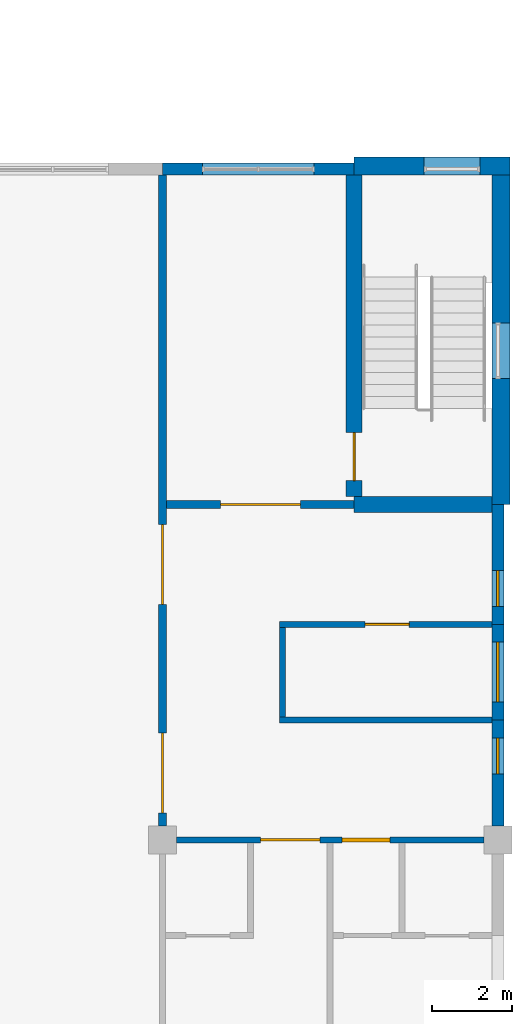
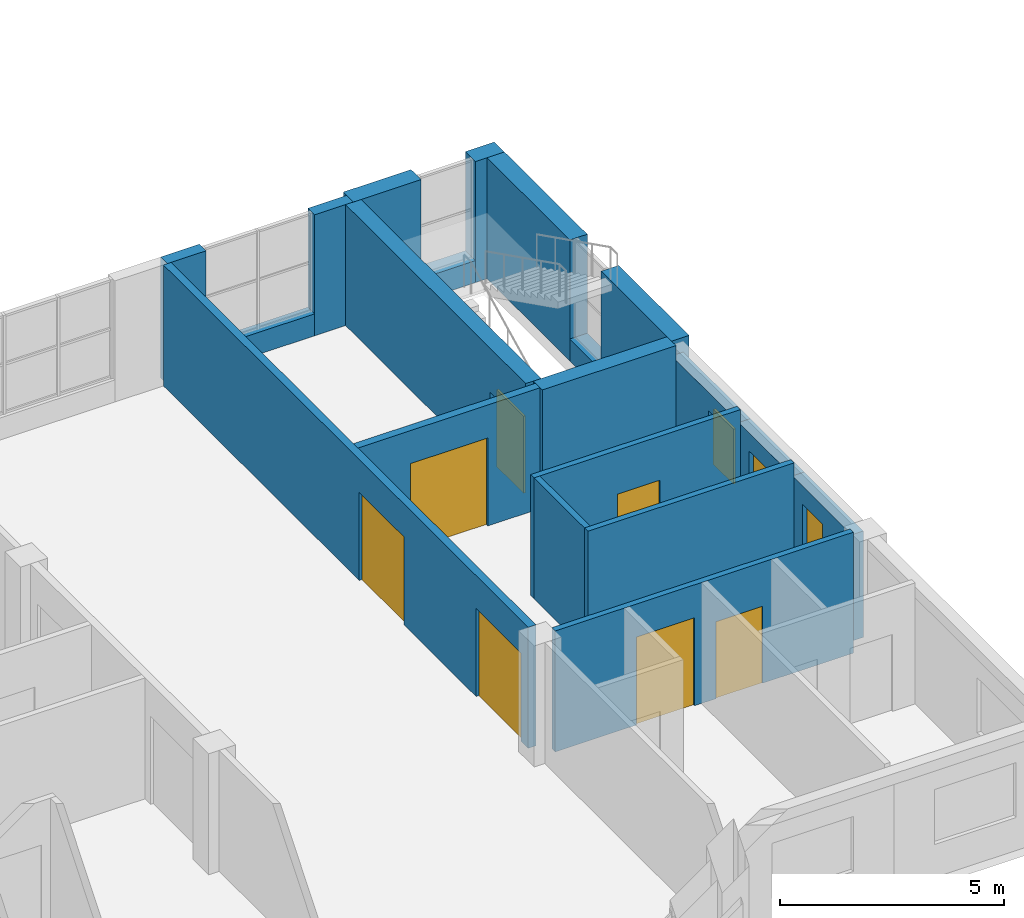
# One storey, part 40 of 48: 20 walls, 7 doors, 3 windows, 10 openings.
"""IFC4 building model written with IfcOpenShell, lengths in metres."""

from ifc_helpers import new_model, si_unit, direction, frame, frame_2d, origin, place, context, subcontext, project, spatial, rectangle, extrude, material, layer, layer_set, type_object, element, fill, save


model = new_model("IFC4")

# Units and contexts
model_context = context("Model", 3, precision=1e-05, world=origin(), true_north=direction((0.0, 1.0)))
body_context = subcontext(model_context, "Body", "Model", "MODEL_VIEW")
ifc_project = project(units=[si_unit("LENGTHUNIT", "METRE"), si_unit("AREAUNIT", "SQUARE_METRE"), si_unit("VOLUMEUNIT", "CUBIC_METRE"), si_unit("PLANEANGLEUNIT", "RADIAN"), si_unit("MASSUNIT", "GRAM", prefix="KILO")], contexts=[model_context])

# Site, building, storey
site_placement = place(None, origin())
site = spatial("IfcSite", under=ifc_project, at=site_placement, CompositionType="ELEMENT")
building_placement = place(site_placement, origin())
building = spatial("IfcBuilding", under=site, at=building_placement, Name="Yavir Park General Hospital", CompositionType="ELEMENT")
storey_placement = place(building_placement, frame((0.0, 0.0, 26.10009765625)))
storey = spatial("IfcBuildingStorey", under=building, at=storey_placement, Name="L06", CompositionType="ELEMENT", Elevation=26.10009765625)

# Wall, opening, door
ifc_material_1 = material(Name="Double gypsum board fire partition on steel studs", Category="steel")
ifc_layer_1 = layer(ifc_material_1, 0.199951171875)
ifc_layer_set_1 = layer_set([ifc_layer_1], Name="Double gypsum board fire partition on steel studs")
wall_type_1 = type_object("IfcWallType", Name="Fire-rated partition 200, EI 60", PredefinedType="PARTITIONING", material=ifc_layer_set_1)
wall_1_placement = place(storey_placement, frame((159.699951171875, 16.800048828125, 0.0), z_axis=(0.0, 0.0, 1.0), x_axis=(1.0, 0.0, 0.0)))
wall_1 = element("IfcWall", 1, at=wall_1_placement, inside=storey, type_object=wall_type_1, Name="FP20 L06-046", PredefinedType="PARTITIONING", context=body_context, shape_type="SweptSolid", body=[
    extrude(rectangle(XDim=4.699951171875, YDim=0.199951171875, at=frame_2d((2.35009765625, 0.0))), origin(), (0.0, 0.0, 1.0), 3.2998046875),
])
opening_1_placement = place(wall_1_placement, frame((1.35009765625, 0.0, 0.0)))
opening_1 = element("IfcOpeningElement", 2, at=opening_1_placement, cuts=wall_1, Name="Opening L06.D051", PredefinedType="OPENING", context=body_context, shape_type="SweptSolid", body=[
    extrude(rectangle(XDim=2.0, YDim=2.39990234375, at=frame_2d((1.0, 1.199951171875))), frame((0.0, 0.10986328125, 0.0), z_axis=(0.0, -1.0, 0.0), x_axis=(1.0, 0.0, 0.0)), (0.0, 0.0, 1.0), 0.219970703125),
])
ifc_material_2 = material(Name="Steel frame, fire-resisting leaves with vision panels", Category="steel")
door_type_1 = type_object("IfcDoorType", Name="Double fire door with vision panels 2000 x 2400, EI 60", OperationType="DOUBLE_DOOR_SINGLE_SWING", PredefinedType="DOOR", material=ifc_material_2)
door_1_placement = place(opening_1_placement, origin())
door_1 = element("IfcDoor", 3, at=door_1_placement, inside=storey, type_object=door_type_1, Name="L06.D051", OperationType="SINGLE_SWING_LEFT", OverallHeight=2.39990234375, OverallWidth=2.0, PredefinedType="DOOR", context=body_context, shape_type="SweptSolid", body=[
    extrude(rectangle(XDim=2.0, YDim=2.39990234375, at=frame_2d((1.0, 1.199951171875))), frame((0.0, 0.030029296875, 0.0), z_axis=(0.0, -1.0, 0.0), x_axis=(1.0, 0.0, 0.0)), (0.0, 0.0, 1.0), 0.06005859375),
])
fill(opening_1, door_1)

# Wall, openings, doors
wall_2_placement = place(storey_placement, frame((159.60009765625, 8.75, 0.0), z_axis=(0.0, 0.0, 1.0), x_axis=(0.0, 1.0, 0.0)))
wall_2 = element("IfcWall", 4, at=wall_2_placement, inside=storey, type_object=wall_type_1, Name="FP20 L06-254", PredefinedType="PARTITIONING", context=body_context, shape_type="SweptSolid", body=[
    extrude(rectangle(XDim=16.300048828125, YDim=0.199951171875, at=frame_2d((8.14990234375, 0.0))), origin(), (0.0, 0.0, 1.0), 3.2998046875),
])
opening_2_placement = place(wall_2_placement, frame((0.324951171875, 0.0, 0.0)))
opening_2 = element("IfcOpeningElement", 5, at=opening_2_placement, cuts=wall_2, Name="Opening L06.D147", PredefinedType="OPENING", context=body_context, shape_type="SweptSolid", body=[
    extrude(rectangle(XDim=2.0, YDim=2.39990234375, at=frame_2d((1.0, 1.199951171875))), frame((0.0, 0.10986328125, 0.0), z_axis=(0.0, -1.0, 0.0), x_axis=(1.0, 0.0, 0.0)), (0.0, 0.0, 1.0), 0.219970703125),
])
opening_3_placement = place(wall_2_placement, frame((5.550048828125, 0.0, 0.0)))
opening_3 = element("IfcOpeningElement", 6, at=opening_3_placement, cuts=wall_2, Name="Opening L06.D148", PredefinedType="OPENING", context=body_context, shape_type="SweptSolid", body=[
    extrude(rectangle(XDim=2.0, YDim=2.39990234375, at=frame_2d((1.0, 1.199951171875))), frame((0.0, 0.10986328125, 0.0), z_axis=(0.0, -1.0, 0.0), x_axis=(1.0, 0.0, 0.0)), (0.0, 0.0, 1.0), 0.219970703125),
])
door_2_placement = place(opening_2_placement, origin())
door_2 = element("IfcDoor", 7, at=door_2_placement, inside=storey, type_object=door_type_1, Name="L06.D147", OperationType="SINGLE_SWING_RIGHT", OverallHeight=2.39990234375, OverallWidth=2.0, PredefinedType="DOOR", context=body_context, shape_type="SweptSolid", body=[
    extrude(rectangle(XDim=2.0, YDim=2.39990234375, at=frame_2d((1.0, 1.199951171875))), frame((0.0, 0.030029296875, 0.0), z_axis=(0.0, -1.0, 0.0), x_axis=(1.0, 0.0, 0.0)), (0.0, 0.0, 1.0), 0.06005859375),
])
fill(opening_2, door_2)
door_3_placement = place(opening_3_placement, origin())
door_3 = element("IfcDoor", 8, at=door_3_placement, inside=storey, type_object=door_type_1, Name="L06.D148", OperationType="SINGLE_SWING_RIGHT", OverallHeight=2.39990234375, OverallWidth=2.0, PredefinedType="DOOR", context=body_context, shape_type="SweptSolid", body=[
    extrude(rectangle(XDim=2.0, YDim=2.39990234375, at=frame_2d((1.0, 1.199951171875))), frame((0.0, 0.030029296875, 0.0), z_axis=(0.0, -1.0, 0.0), x_axis=(1.0, 0.0, 0.0)), (0.0, 0.0, 1.0), 0.06005859375),
])
fill(opening_3, door_3)

ifc_material_3 = material(Name="Gypsum board partition on steel studs", Category="steel")
ifc_layer_2 = layer(ifc_material_3, 0.14990234375)
ifc_layer_set_2 = layer_set([ifc_layer_2], Name="Gypsum board partition on steel studs")
wall_type_2 = type_object("IfcWallType", Name="Gypsum board partition 150", PredefinedType="PARTITIONING", material=ifc_layer_set_2)
wall_3_placement = place(storey_placement, frame((159.949951171875, 8.39990234375, 0.0), z_axis=(0.0, 0.0, 1.0), x_axis=(1.0, 0.0, 0.0)))
wall_3 = element("IfcWall", 9, at=wall_3_placement, inside=storey, type_object=wall_type_2, Name="P15 L06-023", PredefinedType="PARTITIONING", context=body_context, shape_type="SweptSolid", body=[
    extrude(rectangle(XDim=7.699951171875, YDim=0.14990234375, at=frame_2d((3.85009765625, 0.0))), origin(), (0.0, 0.0, 1.0), 3.2998046875),
])
opening_4_placement = place(wall_3_placement, frame((2.10009765625, 0.0, 0.0)))
opening_4 = element("IfcOpeningElement", 10, at=opening_4_placement, cuts=wall_3, Name="Opening L06.D031", PredefinedType="OPENING", context=body_context, shape_type="SweptSolid", body=[
    extrude(rectangle(XDim=1.5, YDim=2.39990234375, at=frame_2d((0.75, 1.199951171875))), frame((0.0, 0.0849609375, 0.0), z_axis=(0.0, -1.0, 0.0), x_axis=(1.0, 0.0, 0.0)), (0.0, 0.0, 1.0), 0.169921875),
])
opening_5_placement = place(wall_3_placement, frame((4.14990234375, 0.0, 0.0)))
opening_5 = element("IfcOpeningElement", 11, at=opening_5_placement, cuts=wall_3, Name="Opening L06.D032", PredefinedType="OPENING", context=body_context, shape_type="SweptSolid", body=[
    extrude(rectangle(XDim=1.199951171875, YDim=2.10009765625, at=frame_2d((0.60009765625, 1.050048828125))), frame((0.0, 0.0849609375, 0.0), z_axis=(0.0, -1.0, 0.0), x_axis=(1.0, 0.0, 0.0)), (0.0, 0.0, 1.0), 0.169921875),
])
ifc_material_4 = material(Name="Solid-core timber leaves, push plates, kick plates", Category="wood")
door_type_2 = type_object("IfcDoorType", Name="Bed door, unequal leaves 1500 x 2400", OperationType="DOUBLE_DOOR_SINGLE_SWING", PredefinedType="DOOR", material=ifc_material_4)
door_4_placement = place(opening_4_placement, origin())
door_4 = element("IfcDoor", 12, at=door_4_placement, inside=storey, type_object=door_type_2, Name="L06.D031", OperationType="SINGLE_SWING_LEFT", OverallHeight=2.39990234375, OverallWidth=1.5, PredefinedType="DOOR", context=body_context, shape_type="SweptSolid", body=[
    extrude(rectangle(XDim=1.5, YDim=2.39990234375, at=frame_2d((0.75, 1.199951171875))), frame((0.0, 0.030029296875, 0.0), z_axis=(0.0, -1.0, 0.0), x_axis=(1.0, 0.0, 0.0)), (0.0, 0.0, 1.0), 0.06005859375),
])
fill(opening_4, door_4)
ifc_material_5 = material(Name="Sealed steel door leaf, compression seals", Category="steel")
door_type_3 = type_object("IfcDoorType", Name="Isolation airlock door 1200 x 2100", OperationType="SINGLE_SWING_LEFT", PredefinedType="DOOR", material=ifc_material_5)
door_5_placement = place(opening_5_placement, origin())
door_5 = element("IfcDoor", 13, at=door_5_placement, inside=storey, type_object=door_type_3, Name="L06.D032", OperationType="SINGLE_SWING_LEFT", OverallHeight=2.10009765625, OverallWidth=1.199951171875, PredefinedType="DOOR", context=body_context, shape_type="SweptSolid", body=[
    extrude(rectangle(XDim=1.199951171875, YDim=2.10009765625, at=frame_2d((0.60009765625, 1.050048828125))), frame((0.0, 0.050048828125, 0.0), z_axis=(0.0, -1.0, 0.0), x_axis=(1.0, 0.0, 0.0)), (0.0, 0.0, 1.0), 0.10009765625),
])
fill(opening_5, door_5)

# Wall
wall_4_placement = place(storey_placement, frame((162.52490234375, 11.39990234375, 0.0), z_axis=(0.0, 0.0, 1.0), x_axis=(1.0, 0.0, 0.0)))
element("IfcWall", 14, at=wall_4_placement, inside=storey, type_object=wall_type_2, Name="P15 L06-029", PredefinedType="PARTITIONING", context=body_context, shape_type="SweptSolid", body=[
    extrude(rectangle(XDim=5.3251953125, YDim=0.14990234375, at=frame_2d((2.66259765625, 0.0))), origin(), (0.0, 0.0, 1.0), 3.2998046875),
])

# Wall, opening, door
wall_5_placement = place(storey_placement, frame((162.52490234375, 13.800048828125, 0.0), z_axis=(0.0, 0.0, 1.0), x_axis=(1.0, 0.0, 0.0)))
wall_5 = element("IfcWall", 15, at=wall_5_placement, inside=storey, type_object=wall_type_2, Name="P15 L06-036", PredefinedType="PARTITIONING", context=body_context, shape_type="SweptSolid", body=[
    extrude(rectangle(XDim=5.3251953125, YDim=0.14990234375, at=frame_2d((2.66259765625, 0.0))), origin(), (0.0, 0.0, 1.0), 3.2998046875),
])
opening_6_placement = place(wall_5_placement, frame((2.14990234375, 0.0, 0.0)))
opening_6 = element("IfcOpeningElement", 16, at=opening_6_placement, cuts=wall_5, Name="Opening L06.D041", PredefinedType="OPENING", context=body_context, shape_type="SweptSolid", body=[
    extrude(rectangle(XDim=1.10009765625, YDim=2.10009765625, at=frame_2d((0.550048828125, 1.050048828125))), frame((0.0, 0.0849609375, 0.0), z_axis=(0.0, -1.0, 0.0), x_axis=(1.0, 0.0, 0.0)), (0.0, 0.0, 1.0), 0.169921875),
])
ifc_material_6 = material(Name="Hollow metal frame, solid-core timber leaf", Category="wood")
door_type_4 = type_object("IfcDoorType", Name="Single swing door 1100 x 2100", OperationType="SINGLE_SWING_LEFT", PredefinedType="DOOR", material=ifc_material_6)
door_6_placement = place(opening_6_placement, origin())
door_6 = element("IfcDoor", 17, at=door_6_placement, inside=storey, type_object=door_type_4, Name="L06.D041", OperationType="SINGLE_SWING_LEFT", OverallHeight=2.10009765625, OverallWidth=1.10009765625, PredefinedType="DOOR", context=body_context, shape_type="SweptSolid", body=[
    extrude(rectangle(XDim=1.10009765625, YDim=2.10009765625, at=frame_2d((0.550048828125, 1.050048828125))), frame((0.0, 0.02490234375, 0.0), z_axis=(0.0, -1.0, 0.0), x_axis=(1.0, 0.0, 0.0)), (0.0, 0.0, 1.0), 0.050048828125),
])
fill(opening_6, door_6)

# Walls
wall_6_placement = place(storey_placement, frame((162.60009765625, 11.47509765625, 0.0), z_axis=(0.0, 0.0, 1.0), x_axis=(0.0, 1.0, 0.0)))
element("IfcWall", 18, at=wall_6_placement, inside=storey, type_object=wall_type_2, Name="P15 L06-256", PredefinedType="PARTITIONING", context=body_context, shape_type="SweptSolid", body=[
    extrude(rectangle(XDim=2.25, YDim=0.14990234375, at=frame_2d((1.125, 0.0))), origin(), (0.0, 0.0, 1.0), 3.2998046875),
])
ifc_material_7 = material(Name="Autoclaved aerated block, mineral wool and ochre mineral render")
ifc_layer_3 = layer(ifc_material_7, 0.300048828125)
ifc_layer_set_3 = layer_set([ifc_layer_3], Name="Autoclaved aerated block, mineral wool and ochre mineral render")
wall_type_3 = type_object("IfcWallType", Name="Ochre render ward wall 300, E 30", PredefinedType="SOLIDWALL", material=ifc_layer_set_3)
for number, where, z_axis, x_axis, name in (
    (19, (159.60009765625, 25.199951171875, 0.0), (0.0, 0.0, 1.0), (1.0, 0.0, 0.0), "XW7 L06-053"),
    (20, (163.39990234375, 25.199951171875, 0.0), (0.0, 0.0, 1.0), (1.0, 0.0, 0.0), "XW7 L06-054"),
):
    element("IfcWall", number, at=place(storey_placement, frame(where, z_axis=z_axis, x_axis=x_axis)), inside=storey, type_object=wall_type_3, Name=name, PredefinedType="SOLIDWALL", context=body_context, shape_type="SweptSolid", body=[
        extrude(rectangle(XDim=1.0, YDim=0.300048828125, at=frame_2d((0.5, 0.0))), origin(), (0.0, 0.0, 1.0), 3.2998046875),
    ])
wall_7_placement = place(storey_placement, frame((160.60009765625, 25.199951171875, 0.0), z_axis=(0.0, 0.0, 1.0), x_axis=(1.0, 0.0, 0.0)))
element("IfcWall", 21, at=wall_7_placement, inside=storey, type_object=wall_type_3, Name="XW7 L06-055", PredefinedType="SOLIDWALL", context=body_context, shape_type="SweptSolid", body=[
    extrude(rectangle(XDim=2.7998046875, YDim=0.300048828125, at=frame_2d((1.39990234375, 0.0))), origin(), (0.0, 0.0, 1.0), 0.599853515625),
])

# Wall, opening, window
wall_8_placement = place(storey_placement, frame((168.0, 8.75, 0.0), z_axis=(0.0, 0.0, 1.0), x_axis=(0.0, 1.0, 0.0)))
wall_8 = element("IfcWall", 22, at=wall_8_placement, inside=storey, type_object=wall_type_3, Name="XW7 L06-146", PredefinedType="SOLIDWALL", context=body_context, shape_type="SweptSolid", body=[
    extrude(rectangle(XDim=2.64990234375, YDim=0.300048828125, at=frame_2d((1.324951171875, 0.0))), origin(), (0.0, 0.0, 1.0), 2.89990234375),
])
opening_7_placement = place(wall_8_placement, frame((1.300048828125, 0.0, 0.89990234375)))
opening_7 = element("IfcOpeningElement", 23, at=opening_7_placement, cuts=wall_8, Name="Opening WH", PredefinedType="OPENING", context=body_context, shape_type="SweptSolid", body=[
    extrude(rectangle(XDim=0.89990234375, YDim=1.5, at=frame_2d((0.449951171875, 0.75))), frame((0.0, 0.159912109375, 0.0), z_axis=(0.0, -1.0, 0.0), x_axis=(1.0, 0.0, 0.0)), (0.0, 0.0, 1.0), 0.320068359375),
])
ifc_material_8 = material(Name="Aluminium frame, double glazed unit", Category="aluminium")
window_type_1 = type_object("IfcWindowType", Name="Narrow window 900 x 1500", PartitioningType="SINGLE_PANEL", PredefinedType="WINDOW", material=ifc_material_8)
window_1_placement = place(opening_7_placement, origin())
window_1 = element("IfcWindow", 24, at=window_1_placement, inside=storey, type_object=window_type_1, Name="WH L06-064", OverallHeight=1.5, OverallWidth=0.89990234375, PartitioningType="SINGLE_PANEL", PredefinedType="WINDOW", context=body_context, shape_type="SweptSolid", body=[
    extrude(rectangle(XDim=0.89990234375, YDim=1.5, at=frame_2d((0.449951171875, 0.75))), frame((0.0, 0.030029296875, 0.0), z_axis=(0.0, -1.0, 0.0), x_axis=(1.0, 0.0, 0.0)), (0.0, 0.0, 1.0), 0.06005859375),
])
fill(opening_7, window_1)

wall_9_placement = place(storey_placement, frame((168.0, 11.39990234375, 0.0), z_axis=(0.0, 0.0, 1.0), x_axis=(0.0, 1.0, 0.0)))
wall_9 = element("IfcWall", 25, at=wall_9_placement, inside=storey, type_object=wall_type_3, Name="XW7 L06-147", PredefinedType="SOLIDWALL", context=body_context, shape_type="SweptSolid", body=[
    extrude(rectangle(XDim=2.400146484375, YDim=0.300048828125, at=frame_2d((1.2001953125, 0.0))), origin(), (0.0, 0.0, 1.0), 2.89990234375),
])
opening_8_placement = place(wall_9_placement, frame((0.449951171875, 0.0, 0.89990234375)))
opening_8 = element("IfcOpeningElement", 26, at=opening_8_placement, cuts=wall_9, Name="Opening WC", PredefinedType="OPENING", context=body_context, shape_type="SweptSolid", body=[
    extrude(rectangle(XDim=1.5, YDim=1.5, at=frame_2d((0.75, 0.75))), frame((0.0, 0.159912109375, 0.0), z_axis=(0.0, -1.0, 0.0), x_axis=(1.0, 0.0, 0.0)), (0.0, 0.0, 1.0), 0.320068359375),
])
ifc_material_9 = material(Name="Aluminium frame, double glazed unit", Category="aluminium")
window_type_2 = type_object("IfcWindowType", Name="Consulting room window 1500 x 1500", PartitioningType="SINGLE_PANEL", PredefinedType="WINDOW", material=ifc_material_9)
window_2_placement = place(opening_8_placement, origin())
window_2 = element("IfcWindow", 27, at=window_2_placement, inside=storey, type_object=window_type_2, Name="WC L06-065", OverallHeight=1.5, OverallWidth=1.5, PartitioningType="SINGLE_PANEL", PredefinedType="WINDOW", context=body_context, shape_type="SweptSolid", body=[
    extrude(rectangle(XDim=1.5, YDim=1.5, at=frame_2d((0.75, 0.75))), frame((0.0, 0.030029296875, 0.0), z_axis=(0.0, -1.0, 0.0), x_axis=(1.0, 0.0, 0.0)), (0.0, 0.0, 1.0), 0.06005859375),
])
fill(opening_8, window_2)

wall_10_placement = place(storey_placement, frame((168.0, 13.800048828125, 0.0), z_axis=(0.0, 0.0, 1.0), x_axis=(0.0, 1.0, 0.0)))
wall_10 = element("IfcWall", 28, at=wall_10_placement, inside=storey, type_object=wall_type_3, Name="XW7 L06-148", PredefinedType="SOLIDWALL", context=body_context, shape_type="SweptSolid", body=[
    extrude(rectangle(XDim=3.0, YDim=0.300048828125, at=frame_2d((1.5, 0.0))), origin(), (0.0, 0.0, 1.0), 2.89990234375),
])
opening_9_placement = place(wall_10_placement, frame((0.449951171875, 0.0, 0.89990234375)))
opening_9 = element("IfcOpeningElement", 29, at=opening_9_placement, cuts=wall_10, Name="Opening WH", PredefinedType="OPENING", context=body_context, shape_type="SweptSolid", body=[
    extrude(rectangle(XDim=0.89990234375, YDim=1.5, at=frame_2d((0.449951171875, 0.75))), frame((0.0, 0.159912109375, 0.0), z_axis=(0.0, -1.0, 0.0), x_axis=(1.0, 0.0, 0.0)), (0.0, 0.0, 1.0), 0.320068359375),
])
window_3_placement = place(opening_9_placement, origin())
window_3 = element("IfcWindow", 30, at=window_3_placement, inside=storey, type_object=window_type_1, Name="WH L06-066", OverallHeight=1.5, OverallWidth=0.89990234375, PartitioningType="SINGLE_PANEL", PredefinedType="WINDOW", context=body_context, shape_type="SweptSolid", body=[
    extrude(rectangle(XDim=0.89990234375, YDim=1.5, at=frame_2d((0.449951171875, 0.75))), frame((0.0, 0.030029296875, 0.0), z_axis=(0.0, -1.0, 0.0), x_axis=(1.0, 0.0, 0.0)), (0.0, 0.0, 1.0), 0.06005859375),
])
fill(opening_9, window_3)

# Wall
ifc_material_10 = material(Name="Concrete C35/45", Category="concrete")
ifc_layer_4 = layer(ifc_material_10, 0.39990234375)
ifc_layer_set_4 = layer_set([ifc_layer_4], Name="Concrete C35/45")
wall_type_4 = type_object("IfcWallType", Name="Reinforced concrete core wall 400, REI 150", PredefinedType="SHEAR", material=ifc_layer_set_4)
wall_11_placement = place(storey_placement, frame((164.39990234375, 16.800048828125, 0.0), z_axis=(0.0, 0.0, 1.0), x_axis=(1.0, 0.0, 0.0)))
element("IfcWall", 31, at=wall_11_placement, inside=storey, type_object=wall_type_4, Name="CW40 L06-047", PredefinedType="SHEAR", context=body_context, shape_type="SweptSolid", body=[
    extrude(rectangle(XDim=3.4501953125, YDim=0.39990234375, at=frame_2d((1.72509765625, 0.0))), origin(), (0.0, 0.0, 1.0), 3.2998046875),
])

# Wall, opening, door
wall_12_placement = place(storey_placement, frame((164.39990234375, 17.0, 0.0), z_axis=(0.0, 0.0, 1.0), x_axis=(0.0, 1.0, 0.0)))
wall_12 = element("IfcWall", 32, at=wall_12_placement, inside=storey, type_object=wall_type_4, Name="CW40 L06-258", PredefinedType="SHEAR", context=body_context, shape_type="SweptSolid", body=[
    extrude(rectangle(XDim=8.050048828125, YDim=0.39990234375, at=frame_2d((4.02490234375, 0.0))), origin(), (0.0, 0.0, 1.0), 3.2998046875),
])
opening_10_placement = place(wall_12_placement, frame((0.39990234375, 0.0, 0.0)))
opening_10 = element("IfcOpeningElement", 33, at=opening_10_placement, cuts=wall_12, Name="Opening L06.D149", PredefinedType="OPENING", context=body_context, shape_type="SweptSolid", body=[
    extrude(rectangle(XDim=1.199951171875, YDim=2.10009765625, at=frame_2d((0.60009765625, 1.050048828125))), frame((0.0, 0.2099609375, 0.0), z_axis=(0.0, -1.0, 0.0), x_axis=(1.0, 0.0, 0.0)), (0.0, 0.0, 1.0), 0.419921875),
])
ifc_material_11 = material(Name="Steel frame, fire-resisting timber leaf", Category="steel")
door_type_5 = type_object("IfcDoorType", Name="Fire door 1200 x 2100, EI 60", OperationType="SINGLE_SWING_LEFT", PredefinedType="DOOR", material=ifc_material_11)
door_7_placement = place(opening_10_placement, origin())
door_7 = element("IfcDoor", 34, at=door_7_placement, inside=storey, type_object=door_type_5, Name="L06.D149", OperationType="SINGLE_SWING_LEFT", OverallHeight=2.10009765625, OverallWidth=1.199951171875, PredefinedType="DOOR", context=body_context, shape_type="SweptSolid", body=[
    extrude(rectangle(XDim=1.199951171875, YDim=2.10009765625, at=frame_2d((0.60009765625, 1.050048828125))), frame((0.0, 0.02490234375, 0.0), z_axis=(0.0, -1.0, 0.0), x_axis=(1.0, 0.0, 0.0)), (0.0, 0.0, 1.0), 0.050048828125),
])
fill(opening_10, door_7)

# Walls
ifc_material_12 = material(Name="Concrete C30/37 precast panel with 150 mm mineral wool insulation", Category="concrete")
ifc_layer_5 = layer(ifc_material_12, 0.449951171875)
ifc_layer_set_5 = layer_set([ifc_layer_5], Name="Concrete C30/37 precast panel with 150 mm mineral wool insulation")
wall_type_5 = type_object("IfcWallType", Name="Stair enclosure wall 450, REI 150", PredefinedType="SOLIDWALL", material=ifc_layer_set_5)
wall_13_placement = place(storey_placement, frame((164.39990234375, 25.27490234375, 0.0), z_axis=(0.0, 0.0, 1.0), x_axis=(1.0, 0.0, 0.0)))
element("IfcWall", 35, at=wall_13_placement, inside=storey, type_object=wall_type_5, Name="XW6 L06-056", PredefinedType="SOLIDWALL", context=body_context, shape_type="SweptSolid", body=[
    extrude(rectangle(XDim=1.75, YDim=0.449951171875, at=frame_2d((0.875, 0.0))), origin(), (0.0, 0.0, 1.0), 3.2998046875),
])
wall_14_placement = place(storey_placement, frame((167.550048828125, 25.27490234375, 0.0), z_axis=(0.0, 0.0, 1.0), x_axis=(1.0, 0.0, 0.0)))
element("IfcWall", 36, at=wall_14_placement, inside=storey, type_object=wall_type_5, Name="XW6 L06-057", PredefinedType="SOLIDWALL", context=body_context, shape_type="SweptSolid", body=[
    extrude(rectangle(XDim=0.75, YDim=0.449951171875, at=frame_2d((0.375, 0.0))), origin(), (0.0, 0.0, 1.0), 3.2998046875),
])
wall_15_placement = place(storey_placement, frame((166.14990234375, 25.27490234375, 0.0), z_axis=(0.0, 0.0, 1.0), x_axis=(1.0, 0.0, 0.0)))
element("IfcWall", 37, at=wall_15_placement, inside=storey, type_object=wall_type_5, Name="XW6 L06-058", PredefinedType="SOLIDWALL", context=body_context, shape_type="SweptSolid", body=[
    extrude(rectangle(XDim=1.400146484375, YDim=0.449951171875, at=frame_2d((0.7001953125, 0.0))), origin(), (0.0, 0.0, 1.0), 0.599853515625),
])
wall_16_placement = place(storey_placement, frame((168.074951171875, 16.800048828125, 0.0), z_axis=(0.0, 0.0, 1.0), x_axis=(0.0, 1.0, 0.0)))
element("IfcWall", 38, at=wall_16_placement, inside=storey, type_object=wall_type_5, Name="XW6 L06-149", PredefinedType="SOLIDWALL", context=body_context, shape_type="SweptSolid", body=[
    extrude(rectangle(XDim=3.14990234375, YDim=0.449951171875, at=frame_2d((1.574951171875, 0.0))), origin(), (0.0, 0.0, 1.0), 3.2998046875),
])
wall_17_placement = place(storey_placement, frame((168.074951171875, 21.35009765625, 0.0), z_axis=(0.0, 0.0, 1.0), x_axis=(0.0, 1.0, 0.0)))
element("IfcWall", 39, at=wall_17_placement, inside=storey, type_object=wall_type_5, Name="XW6 L06-150", PredefinedType="SOLIDWALL", context=body_context, shape_type="SweptSolid", body=[
    extrude(rectangle(XDim=3.699951171875, YDim=0.449951171875, at=frame_2d((1.85009765625, 0.0))), origin(), (0.0, 0.0, 1.0), 3.2998046875),
])
wall_18_placement = place(storey_placement, frame((168.074951171875, 19.949951171875, 0.0), z_axis=(0.0, 0.0, 1.0), x_axis=(0.0, 1.0, 0.0)))
element("IfcWall", 40, at=wall_18_placement, inside=storey, type_object=wall_type_5, Name="XW6 L06-151", PredefinedType="SOLIDWALL", context=body_context, shape_type="SweptSolid", body=[
    extrude(rectangle(XDim=1.400146484375, YDim=0.449951171875, at=frame_2d((0.7001953125, 0.0))), origin(), (0.0, 0.0, 1.0), 0.599853515625),
])

save(model, "model.ifc")
